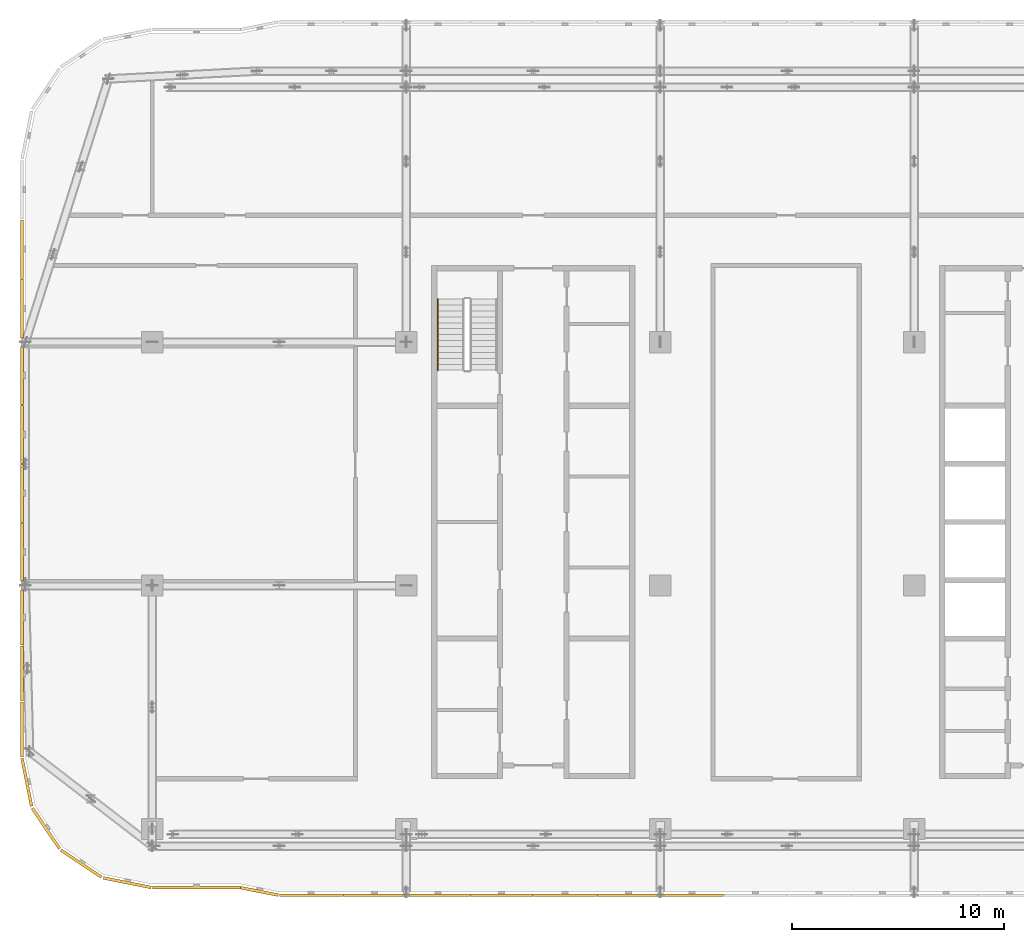
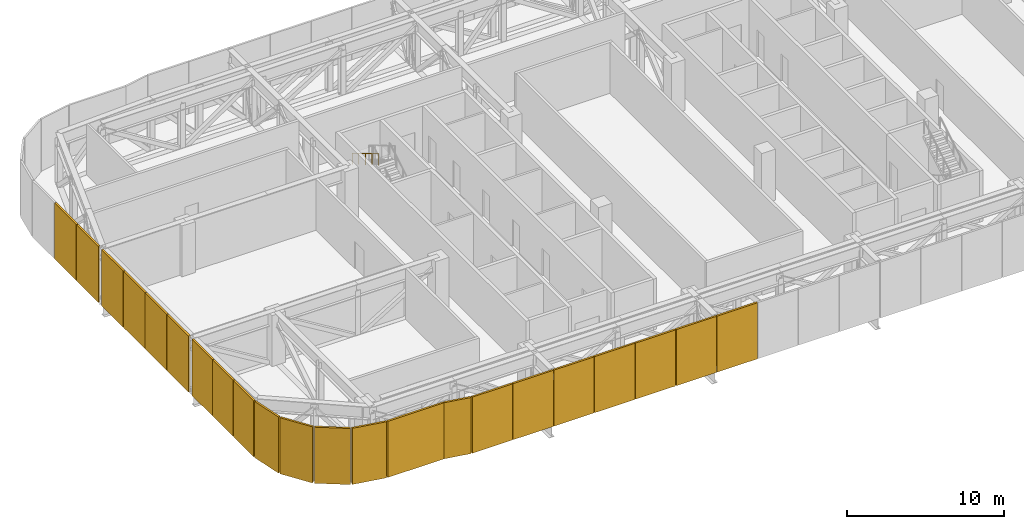
# One storey, part 24 of 29: 22 coverings, 1 railing.
"""IFC4 building model written with IfcOpenShell, lengths in metres."""

from ifc_helpers import new_model, si_unit, direction, frame, origin, origin_2d, place, context, subcontext, project, spatial, rectangle, circle, extrude, material, type_object, element, save


model = new_model("IFC4")

# Units and contexts
model_context = context("Model", 3, precision=1e-05, world=origin(), true_north=direction((0.0, 1.0)))
body_context = subcontext(model_context, "Body", "Model", "MODEL_VIEW")
ifc_project = project(units=[si_unit("LENGTHUNIT", "METRE"), si_unit("AREAUNIT", "SQUARE_METRE"), si_unit("VOLUMEUNIT", "CUBIC_METRE"), si_unit("PLANEANGLEUNIT", "RADIAN"), si_unit("MASSUNIT", "GRAM", prefix="KILO")], contexts=[model_context])

# Site, building, storey
site_placement = place(None, origin())
site = spatial("IfcSite", under=ifc_project, at=site_placement, CompositionType="ELEMENT")
building_placement = place(site_placement, origin())
building = spatial("IfcBuilding", under=site, at=building_placement, Name="Mahtab Terrace Research Tower", CompositionType="ELEMENT")
storey_placement = place(building_placement, frame((0.0, 0.0, 259.0)))
storey = spatial("IfcBuildingStorey", under=building, at=storey_placement, Name="L63", CompositionType="ELEMENT", Elevation=259.0)

# Coverings
ifc_material_1 = material(Name="Natural anodised aluminium", Category="aluminium")
covering_type = type_object("IfcCoveringType", Name="Plant storey louvre bay", PredefinedType="CLADDING", material=ifc_material_1)
covering_1_placement = place(storey_placement, frame((-36.938720703125, -14.449462890625, -0.39990234375), z_axis=(0.0, 0.0, 1.0), x_axis=(0.980787963133, -0.195076834539, 0.0)))
element("IfcCovering", 1, at=covering_1_placement, inside=storey, type_object=covering_type, Name="Louvre bay L63 1", PredefinedType="CLADDING", context=body_context, shape_type="SweptSolid", body=[
    extrude(rectangle(XDim=1.810546875, YDim=0.139892578125, at=origin_2d()), origin(), (0.0, 0.0, 1.0), 4.360107421875),
])
for number, where, z_axis, x_axis, name in (
    (2, (-34.5, -14.633056640625, -0.39990234375), (0.0, 0.0, 1.0), (1.0, 0.0, 0.0), "Louvre bay L63 2"),
    (3, (-31.5, -14.633056640625, -0.39990234375), (0.0, 0.0, 1.0), (1.0, 0.0, 0.0), "Louvre bay L63 3"),
    (4, (-28.5, -14.633056640625, -0.39990234375), (0.0, 0.0, 1.0), (1.0, 0.0, 0.0), "Louvre bay L63 4"),
    (5, (-25.5, -14.633056640625, -0.39990234375), (0.0, 0.0, 1.0), (1.0, 0.0, 0.0), "Louvre bay L63 5"),
    (6, (-22.5, -14.633056640625, -0.39990234375), (0.0, 0.0, 1.0), (1.0, 0.0, 0.0), "Louvre bay L63 6"),
    (7, (-19.5, -14.633056640625, -0.39990234375), (0.0, 0.0, 1.0), (1.0, 0.0, 0.0), "Louvre bay L63 7"),
    (8, (-16.5, -14.633056640625, -0.39990234375), (0.0, 0.0, 1.0), (1.0, 0.0, 0.0), "Louvre bay L63 8"),
):
    element("IfcCovering", number, at=place(storey_placement, frame(where, z_axis=z_axis, x_axis=x_axis)), inside=storey, type_object=covering_type, Name=name, PredefinedType="CLADDING", context=body_context, shape_type="SweptSolid", body=[
        extrude(rectangle(XDim=2.9599609375, YDim=0.139892578125, at=origin_2d()), origin(), (0.0, 0.0, 1.0), 4.360107421875),
    ])
for number, where, z_axis, x_axis, name in (
    (9, (-48.159912109375, 15.89990234375, -0.39990234375), (0.0, 0.0, 1.0), (0.0, -1.0, 0.0), "Louvre bay L63 83"),
    (10, (-48.159912109375, 13.092041015625, -0.39990234375), (0.0, 0.0, 1.0), (0.0, -1.0, 0.0), "Louvre bay L63 84"),
):
    element("IfcCovering", number, at=place(storey_placement, frame(where, z_axis=z_axis, x_axis=x_axis)), inside=storey, type_object=covering_type, Name=name, PredefinedType="CLADDING", context=body_context, shape_type="SweptSolid", body=[
        extrude(rectangle(XDim=2.76806640625, YDim=0.139892578125, at=origin_2d()), origin(), (0.0, 0.0, 1.0), 4.360107421875),
    ])
for number, where, z_axis, x_axis, name in (
    (11, (-48.159912109375, 9.92138671875, -0.39990234375), (0.0, 0.0, 1.0), (0.0, -1.0, 0.0), "Louvre bay L63 85"),
    (12, (-48.159912109375, 7.140380859375, -0.39990234375), (0.0, 0.0, 1.0), (0.0, -1.0, 0.0), "Louvre bay L63 86"),
    (13, (-48.159912109375, 4.359619140625, -0.39990234375), (0.0, 0.0, 1.0), (0.0, -1.0, 0.0), "Louvre bay L63 87"),
    (14, (-48.159912109375, 1.57861328125, -0.39990234375), (0.0, 0.0, 1.0), (0.0, -1.0, 0.0), "Louvre bay L63 88"),
):
    element("IfcCovering", number, at=place(storey_placement, frame(where, z_axis=z_axis, x_axis=x_axis)), inside=storey, type_object=covering_type, Name=name, PredefinedType="CLADDING", context=body_context, shape_type="SweptSolid", body=[
        extrude(rectangle(XDim=2.740966796875, YDim=0.139892578125, at=origin_2d()), origin(), (0.0, 0.0, 1.0), 4.360107421875),
    ])
for number, where, z_axis, x_axis, name in (
    (15, (-48.159912109375, -1.508544921875, -0.39990234375), (0.0, 0.0, 1.0), (0.0, -1.0, 0.0), "Louvre bay L63 89"),
    (16, (-48.159912109375, -4.14990234375, -0.39990234375), (0.0, 0.0, 1.0), (0.0, -1.0, 0.0), "Louvre bay L63 90"),
    (17, (-48.159912109375, -6.791259765625, -0.39990234375), (0.0, 0.0, 1.0), (0.0, -1.0, 0.0), "Louvre bay L63 91"),
):
    element("IfcCovering", number, at=place(storey_placement, frame(where, z_axis=z_axis, x_axis=x_axis)), inside=storey, type_object=covering_type, Name=name, PredefinedType="CLADDING", context=body_context, shape_type="SweptSolid", body=[
        extrude(rectangle(XDim=2.601318359375, YDim=0.139892578125, at=origin_2d()), origin(), (0.0, 0.0, 1.0), 4.360107421875),
    ])
for number, where, z_axis, x_axis, name in (
    (18, (-47.928466796875, -9.291259765625, -0.39990234375), (0.0, 0.0, 1.0), (0.195212442692, -0.980760981187, 0.0), "Louvre bay L63 92"),
    (19, (-47.026123046875, -11.470458984375, -0.39990234375), (0.0, 0.0, 1.0), (0.555291490808, -0.831655794326, 0.0), "Louvre bay L63 93"),
    (20, (-45.3583984375, -13.13818359375, -0.39990234375), (0.0, 0.0, 1.0), (0.831655794326, -0.555291490808, 0.0), "Louvre bay L63 94"),
    (21, (-43.17919921875, -14.04052734375, -0.39990234375), (0.0, 0.0, 1.0), (0.980760981187, -0.195212442692, 0.0), "Louvre bay L63 95"),
):
    element("IfcCovering", number, at=place(storey_placement, frame(where, z_axis=z_axis, x_axis=x_axis)), inside=storey, type_object=covering_type, Name=name, PredefinedType="CLADDING", context=body_context, shape_type="SweptSolid", body=[
        extrude(rectangle(XDim=2.301025390625, YDim=0.139892578125, at=origin_2d()), origin(), (0.0, 0.0, 1.0), 4.360107421875),
    ])
covering_2_placement = place(storey_placement, frame((-39.907470703125, -14.27197265625, -0.39990234375), z_axis=(0.0, 0.0, 1.0), x_axis=(1.0, 0.0, 0.0)))
element("IfcCovering", 22, at=covering_2_placement, inside=storey, type_object=covering_type, Name="Louvre bay L63 96", PredefinedType="CLADDING", context=body_context, shape_type="SweptSolid", body=[
    extrude(rectangle(XDim=4.14501953125, YDim=0.139892578125, at=origin_2d()), origin(), (0.0, 0.0, 1.0), 4.360107421875),
])

# Railing
ifc_material_2 = material(Name="Stainless steel AISI 304", Category="steel")
railing_type = type_object("IfcRailingType", Name="Stair handrail 900", PredefinedType="HANDRAIL", material=ifc_material_2)
railing_placement = place(storey_placement, frame((-28.5, 13.534912109375, 2.3154296875)))
element("IfcRailing", 23, at=railing_placement, inside=storey, type_object=railing_type, Name="L63 ST1 stair handrail 2", PredefinedType="HANDRAIL", context=body_context, shape_type="SweptSolid", body=[
    extrude(circle(Radius=0.02392578125, at=origin_2d()), frame((0.0, 0.0, 0.8759765625), z_axis=(0.0, -0.861011212953, 0.508585972249), x_axis=(1.0, 0.0, 0.0)), (0.0, 0.0, 1.0), 3.90234375),
    extrude(circle(Radius=0.02099609375, at=origin_2d()), origin(), (0.0, 0.0, 1.0), 0.851806640625),
    extrude(circle(Radius=0.02099609375, at=origin_2d()), frame((0.0, -0.83984375, 0.49609375)), (0.0, 0.0, 1.0), 0.851806640625),
    extrude(circle(Radius=0.02099609375, at=origin_2d()), frame((0.0, -1.679931640625, 0.9921875)), (0.0, 0.0, 1.0), 0.851806640625),
    extrude(circle(Radius=0.02099609375, at=origin_2d()), frame((0.0, -2.52001953125, 1.488525390625)), (0.0, 0.0, 1.0), 0.851806640625),
    extrude(circle(Radius=0.02099609375, at=origin_2d()), frame((0.0, -3.35986328125, 1.984619140625)), (0.0, 0.0, 1.0), 0.851806640625),
])

save(model, "model.ifc")
